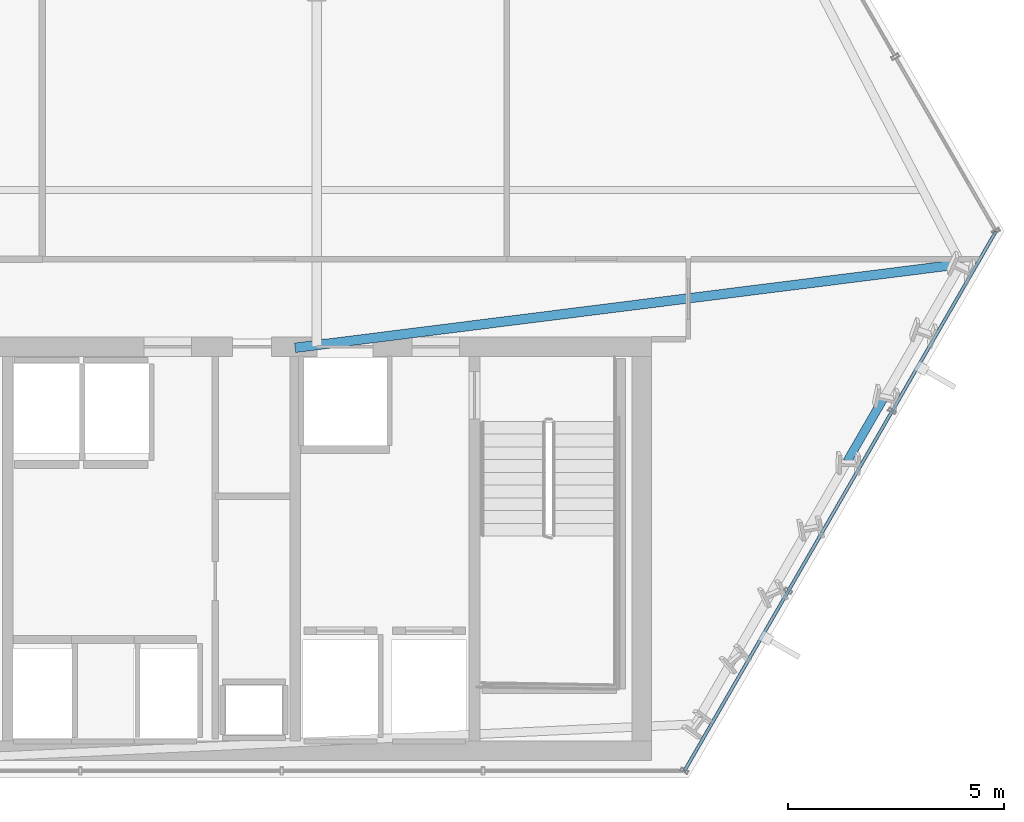
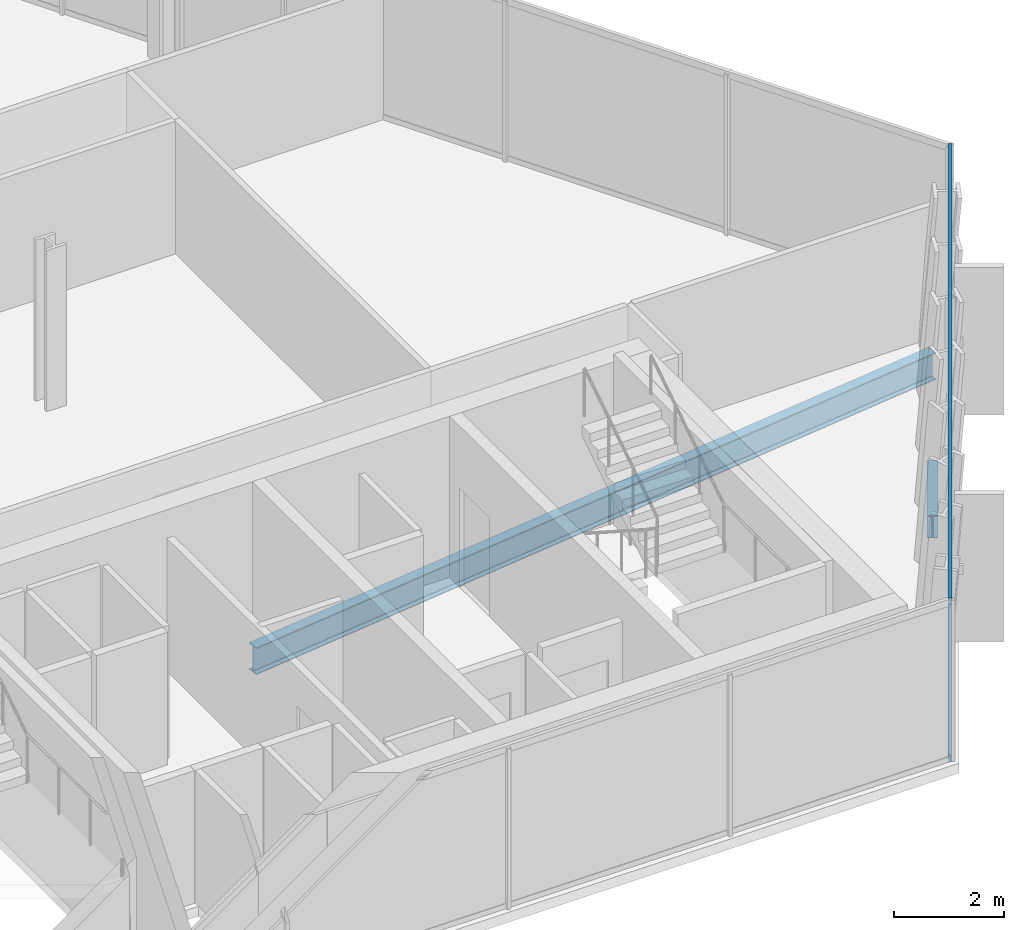
# One storey, part 17 of 33: 2 beams, 2 members, 1 element without a shape of its own.
"""IFC4 building model written with IfcOpenShell, lengths in metres."""

from ifc_helpers import new_model, si_unit, direction, frame, origin, origin_2d, place, context, subcontext, project, spatial, hollow_rectangle, i_section, extrude, material, layer, layer_set, material_profile, profile_set, type_object, element, aggregate, save


model = new_model("IFC4")

# Units and contexts
model_context = context("Model", 3, precision=1e-05, world=origin(), true_north=direction((0.0, 1.0)))
body_context = subcontext(model_context, "Body", "Model", "MODEL_VIEW")
ifc_project = project(units=[si_unit("LENGTHUNIT", "METRE"), si_unit("AREAUNIT", "SQUARE_METRE"), si_unit("VOLUMEUNIT", "CUBIC_METRE"), si_unit("PLANEANGLEUNIT", "RADIAN"), si_unit("MASSUNIT", "GRAM", prefix="KILO")], contexts=[model_context])

# Site, building, storey
site_placement = place(None, origin())
site = spatial("IfcSite", under=ifc_project, at=site_placement, CompositionType="ELEMENT")
building_placement = place(site_placement, origin())
building = spatial("IfcBuilding", under=site, at=building_placement, Name="Ndaravel Arena Tower", CompositionType="ELEMENT")
storey_placement = place(building_placement, frame((0.0, 0.0, 89.199951171875)))
storey = spatial("IfcBuildingStorey", under=building, at=storey_placement, Name="L20", CompositionType="ELEMENT", Elevation=89.199951171875)

# Beams
ifc_material_1 = material(Name="Steel S355", Category="steel")
ifc_material_profile_1 = material_profile(ifc_material_1, i_section(OverallWidth=0.219970703125, OverallDepth=0.60009765625, WebThickness=0.011962890625, FlangeThickness=0.01904296875, FilletRadius=0.02392578125, at=origin_2d()), Name="IPE 600")
ifc_profile_set_1 = profile_set([ifc_material_profile_1], Name="Steel S355")
beam_type_1 = type_object("IfcBeamType", Name="BM-GIRD-IPE600", PredefinedType="BEAM", material=ifc_profile_set_1)
beam_1_placement = place(storey_placement, frame((64.710205078125, 16.887451171875, -0.52001953125), z_axis=(-0.9921886271, -0.124746656284, 0.0), x_axis=(0.124746656284, -0.9921886271, 0.0)))
element("IfcBeam", 1, at=beam_1_placement, inside=storey, type_object=beam_type_1, Name="L20 Radial Floor Girder FG-09", PredefinedType="BEAM", context=body_context, shape_type="SweptSolid", body=[
    extrude(i_section(OverallWidth=0.219970703125, OverallDepth=0.60009765625, WebThickness=0.011962890625, FlangeThickness=0.01904296875, FilletRadius=0.02392578125, at=origin_2d()), origin(), (0.0, 0.0, 1.0), 15.531494140625),
])
ifc_material_2 = material(Name="Steel S355", Category="steel")
ifc_material_profile_2 = material_profile(ifc_material_2, i_section(OverallWidth=0.199951171875, OverallDepth=0.5, WebThickness=0.01025390625, FlangeThickness=0.01611328125, FilletRadius=0.02099609375, at=origin_2d()), Name="IPE 500")
ifc_profile_set_2 = profile_set([ifc_material_profile_2], Name="Steel S355")
beam_type_2 = type_object("IfcBeamType", Name="BM-SPAN-IPE500", PredefinedType="SPANDREL", material=ifc_profile_set_2)
beam_2_placement = place(storey_placement, frame((62.07568359375, 12.324462890625, -0.469970703125), z_axis=(0.500115484592, 0.865958718457, 0.0), x_axis=(-0.865958718457, 0.500115484592, 0.0)))
element("IfcBeam", 2, at=beam_2_placement, inside=storey, type_object=beam_type_2, Name="L20 Perimeter Spandrel Beam SP-06", PredefinedType="SPANDREL", context=body_context, shape_type="SweptSolid", body=[
    extrude(i_section(OverallWidth=0.199951171875, OverallDepth=0.5, WebThickness=0.01025390625, FlangeThickness=0.01611328125, FilletRadius=0.02099609375, at=origin_2d()), origin(), (0.0, 0.0, 1.0), 1.75634765625),
])

# Curtain wall, members
ifc_material_3 = material(Name="Aluminium", Category="aluminium")
ifc_layer = layer(ifc_material_3, 0.179931640625)
ifc_layer_set = layer_set([ifc_layer], Name="Aluminium")
curtain_wall_type = type_object("IfcCurtainWallType", Name="CW-SYS-01", PredefinedType="NOTDEFINED", material=ifc_layer_set)
curtain_wall_placement = place(storey_placement, origin())
curtain_wall = element("IfcCurtainWall", 3, at=curtain_wall_placement, inside=storey, type_object=curtain_wall_type, Name="L20 Faceted Crystal Curtain Wall CW-L20-E02", PredefinedType="NOTDEFINED")
ifc_material_4 = material(Name="Aluminium", Category="aluminium")
ifc_material_profile_3 = material_profile(ifc_material_4, hollow_rectangle(XDim=0.074951171875, YDim=0.14990234375, WallThickness=0.00390625, at=origin_2d()), Name="CW TRANSOM 75x150x4")
ifc_profile_set_3 = profile_set([ifc_material_profile_3], Name="Aluminium")
member_type = type_object("IfcMemberType", Name="MEM-CW-TRN150", PredefinedType="USERDEFINED", material=ifc_profile_set_3)
member_1_placement = place(storey_placement, frame((58.308837890625, 5.159912109375, 0.0400390625), z_axis=(0.499999446118, 0.866025723568, 0.0), x_axis=(-0.866025723568, 0.499999446118, 0.0)))
member_1 = element("IfcMember", 4, at=member_1_placement, type_object=member_type, Name="CW-L20-E02 Transom 01", ObjectType="TRANSOM", PredefinedType="USERDEFINED", context=body_context, shape_type="SweptSolid", body=[
    extrude(hollow_rectangle(XDim=0.074951171875, YDim=0.14990234375, WallThickness=0.00390625, at=origin_2d()), origin(), (0.0, 0.0, 1.0), 14.419921875),
])
member_2_placement = place(storey_placement, frame((58.308837890625, 5.159912109375, 3.5400390625), z_axis=(0.499999446118, 0.866025723568, 0.0), x_axis=(-0.866025723568, 0.499999446118, 0.0)))
member_2 = element("IfcMember", 5, at=member_2_placement, type_object=member_type, Name="CW-L20-E02 Transom 02", ObjectType="TRANSOM", PredefinedType="USERDEFINED", context=body_context, shape_type="SweptSolid", body=[
    extrude(hollow_rectangle(XDim=0.074951171875, YDim=0.14990234375, WallThickness=0.00390625, at=origin_2d()), origin(), (0.0, 0.0, 1.0), 14.419921875),
])
aggregate(curtain_wall, [member_1, member_2])

save(model, "model.ifc")
